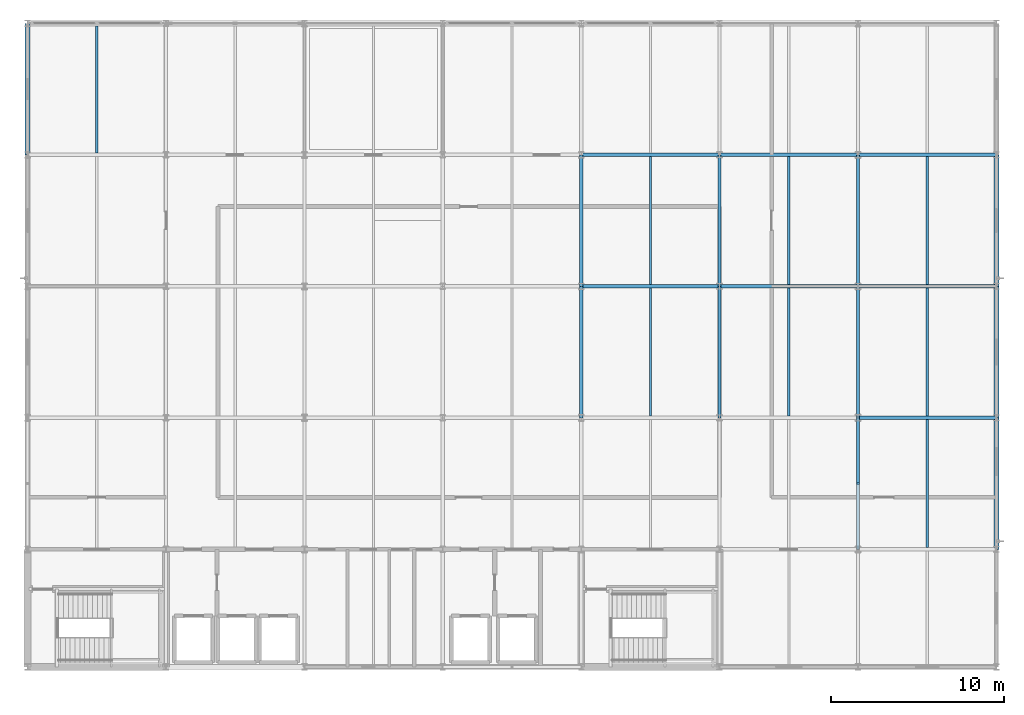
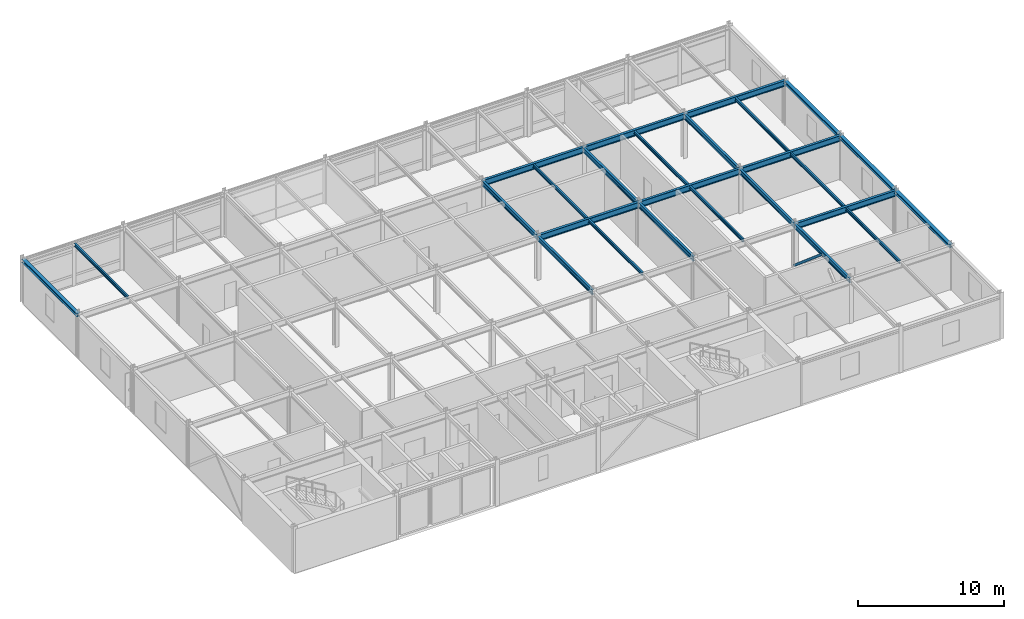
# One storey, part 5 of 15: 26 beams, 1 member.
"""IFC4 building model written with IfcOpenShell, lengths in metres."""

from ifc_helpers import new_model, si_unit, direction, frame, origin, origin_2d, place, context, subcontext, project, spatial, hollow_rectangle, i_section, extrude, material, material_profile, profile_set, type_object, element, save


model = new_model("IFC4")

# Units and contexts
model_context = context("Model", 3, precision=1e-05, world=origin(), true_north=direction((0.0, 1.0)))
body_context = subcontext(model_context, "Body", "Model", "MODEL_VIEW")
ifc_project = project(units=[si_unit("LENGTHUNIT", "METRE"), si_unit("AREAUNIT", "SQUARE_METRE"), si_unit("VOLUMEUNIT", "CUBIC_METRE"), si_unit("PLANEANGLEUNIT", "RADIAN"), si_unit("MASSUNIT", "GRAM", prefix="KILO")], contexts=[model_context])

# Site, building, storey
site_placement = place(None, origin())
site = spatial("IfcSite", under=ifc_project, at=site_placement, CompositionType="ELEMENT")
building_placement = place(site_placement, origin())
building = spatial("IfcBuilding", under=site, at=building_placement, Name="Shalkamar Park Central Library", CompositionType="ELEMENT")
storey_placement = place(building_placement, frame((0.0, 0.0, 39.89990234375)))
storey = spatial("IfcBuildingStorey", under=building, at=storey_placement, Name="L10", CompositionType="ELEMENT", Elevation=39.89990234375)

# Beams
ifc_material = material(Name="Steel S355", Category="steel")
ifc_material_profile_1 = material_profile(ifc_material, i_section(OverallWidth=0.135009765625, OverallDepth=0.27001953125, WebThickness=0.006591796875, FlangeThickness=0.01025390625, FilletRadius=0.014892578125, at=origin_2d()), Name="IPE 270")
ifc_profile_set_1 = profile_set([ifc_material_profile_1], Name="Steel S355")
beam_type_1 = type_object("IfcBeamType", Name="Composite Floor Joist IPE270", PredefinedType="JOIST", material=ifc_profile_set_1)
beam_1_placement = place(storey_placement, frame((169.0, 278.097900390625, 3.545166015625), z_axis=(0.0, 1.0, 0.0), x_axis=(-1.0, 0.0, 0.0)))
element("IfcBeam", 1, at=beam_1_placement, inside=storey, type_object=beam_type_1, Name="Composite Joist 07/F-1 (L10)", PredefinedType="JOIST", context=body_context, shape_type="SweptSolid", body=[
    extrude(i_section(OverallWidth=0.135009765625, OverallDepth=0.27001953125, WebThickness=0.006591796875, FlangeThickness=0.01025390625, FilletRadius=0.014892578125, at=origin_2d()), origin(), (0.0, 0.0, 1.0), 7.35400390625),
])
for number, where, z_axis, x_axis, name in (
    (2, (201.0, 262.89794921875, 3.545166015625), (0.0, 1.0, 0.0), (-1.0, 0.0, 0.0), "Composite Joist 11/D-1 (L10)"),
    (3, (201.0, 270.498046875, 3.545166015625), (0.0, 1.0, 0.0), (-1.0, 0.0, 0.0), "Composite Joist 11/E-1 (L10)"),
    (4, (209.0, 262.89794921875, 3.545166015625), (0.0, 1.0, 0.0), (-1.0, 0.0, 0.0), "Composite Joist 12/D-1 (L10)"),
    (5, (209.0, 270.498046875, 3.545166015625), (0.0, 1.0, 0.0), (-1.0, 0.0, 0.0), "Composite Joist 12/E-1 (L10)"),
):
    element("IfcBeam", number, at=place(storey_placement, frame(where, z_axis=z_axis, x_axis=x_axis)), inside=storey, type_object=beam_type_1, Name=name, PredefinedType="JOIST", context=body_context, shape_type="SweptSolid", body=[
        extrude(i_section(OverallWidth=0.135009765625, OverallDepth=0.27001953125, WebThickness=0.006591796875, FlangeThickness=0.01025390625, FilletRadius=0.014892578125, at=origin_2d()), origin(), (0.0, 0.0, 1.0), 7.404052734375),
    ])
beam_2_placement = place(storey_placement, frame((217.0, 255.298095703125, 3.545166015625), z_axis=(0.0, 1.0, 0.0), x_axis=(-1.0, 0.0, 0.0)))
element("IfcBeam", 6, at=beam_2_placement, inside=storey, type_object=beam_type_1, Name="Composite Joist 13/C-1 (L10)", PredefinedType="JOIST", context=body_context, shape_type="SweptSolid", body=[
    extrude(i_section(OverallWidth=0.135009765625, OverallDepth=0.27001953125, WebThickness=0.006591796875, FlangeThickness=0.01025390625, FilletRadius=0.014892578125, at=origin_2d()), origin(), (0.0, 0.0, 1.0), 7.40380859375),
])
for number, where, z_axis, x_axis, name in (
    (7, (217.0, 262.89794921875, 3.545166015625), (0.0, 1.0, 0.0), (-1.0, 0.0, 0.0), "Composite Joist 13/D-1 (L10)"),
    (8, (217.0, 270.498046875, 3.545166015625), (0.0, 1.0, 0.0), (-1.0, 0.0, 0.0), "Composite Joist 13/E-1 (L10)"),
):
    element("IfcBeam", number, at=place(storey_placement, frame(where, z_axis=z_axis, x_axis=x_axis)), inside=storey, type_object=beam_type_1, Name=name, PredefinedType="JOIST", context=body_context, shape_type="SweptSolid", body=[
        extrude(i_section(OverallWidth=0.135009765625, OverallDepth=0.27001953125, WebThickness=0.006591796875, FlangeThickness=0.01025390625, FilletRadius=0.014892578125, at=origin_2d()), origin(), (0.0, 0.0, 1.0), 7.404052734375),
    ])

# Member
ifc_material_profile_2 = material_profile(ifc_material, hollow_rectangle(XDim=0.179931640625, YDim=0.179931640625, WallThickness=0.010009765625, InnerFilletRadius=0.010009765625, OuterFilletRadius=0.014892578125, at=origin_2d()), Name="SHS 180x180x10")
ifc_profile_set_2 = profile_set([ifc_material_profile_2], Name="Steel S355")
member_type = type_object("IfcMemberType", Name="Diagonal Brace SHS180", PredefinedType="BRACE", material=ifc_profile_set_2)
member_placement = place(storey_placement, frame((213.0, 262.800048828125, 0.150146484375), z_axis=(0.0, -0.761945356857, 0.647641315208), x_axis=(1.0, 0.0, 0.0)))
element("IfcMember", 9, at=member_placement, inside=storey, type_object=member_type, Name="Chevron Brace TW-E Leg B (L10)", PredefinedType="BRACE", context=body_context, shape_type="SweptSolid", body=[
    extrude(hollow_rectangle(XDim=0.179931640625, YDim=0.179931640625, WallThickness=0.010009765625, InnerFilletRadius=0.010009765625, OuterFilletRadius=0.014892578125, at=origin_2d()), origin(), (0.0, 0.0, 1.0), 4.9873046875),
])

# Beams
ifc_material_profile_3 = material_profile(ifc_material, i_section(OverallWidth=0.280029296875, OverallDepth=0.27001953125, WebThickness=0.008056640625, FlangeThickness=0.012939453125, FilletRadius=0.02392578125, at=origin_2d()), Name="HEA 280")
ifc_profile_set_3 = profile_set([ifc_material_profile_3], Name="Steel S355")
beam_type_2 = type_object("IfcBeamType", Name="Perimeter Spandrel Beam HEA280", PredefinedType="SPANDREL", material=ifc_profile_set_3)
for number, where, z_axis, x_axis, name in (
    (10, (165.0, 278.0, 3.545166015625), (0.0, 1.0, 0.0), (-1.0, 0.0, 0.0), "Beam 07:F-G (L10)"),
    (11, (221.0, 255.199951171875, 3.545166015625), (0.0, 1.0, 0.0), (-1.0, 0.0, 0.0), "Beam 14:C-D (L10)"),
):
    element("IfcBeam", number, at=place(storey_placement, frame(where, z_axis=z_axis, x_axis=x_axis)), inside=storey, type_object=beam_type_2, Name=name, PredefinedType="SPANDREL", context=body_context, shape_type="SweptSolid", body=[
        extrude(i_section(OverallWidth=0.280029296875, OverallDepth=0.27001953125, WebThickness=0.008056640625, FlangeThickness=0.012939453125, FilletRadius=0.02392578125, at=origin_2d()), origin(), (0.0, 0.0, 1.0), 7.60009765625),
    ])
beam_3_placement = place(storey_placement, frame((221.0, 262.800048828125, 3.545166015625), z_axis=(0.0, 1.0, 0.0), x_axis=(-1.0, 0.0, 0.0)))
element("IfcBeam", 12, at=beam_3_placement, inside=storey, type_object=beam_type_2, Name="Beam 14:D-E (L10)", PredefinedType="SPANDREL", context=body_context, shape_type="SweptSolid", body=[
    extrude(i_section(OverallWidth=0.280029296875, OverallDepth=0.27001953125, WebThickness=0.008056640625, FlangeThickness=0.012939453125, FilletRadius=0.02392578125, at=origin_2d()), origin(), (0.0, 0.0, 1.0), 7.599853515625),
])
beam_4_placement = place(storey_placement, frame((221.0, 270.39990234375, 3.545166015625), z_axis=(0.0, 1.0, 0.0), x_axis=(-1.0, 0.0, 0.0)))
element("IfcBeam", 13, at=beam_4_placement, inside=storey, type_object=beam_type_2, Name="Beam 14:E-F (L10)", PredefinedType="SPANDREL", context=body_context, shape_type="SweptSolid", body=[
    extrude(i_section(OverallWidth=0.280029296875, OverallDepth=0.27001953125, WebThickness=0.008056640625, FlangeThickness=0.012939453125, FilletRadius=0.02392578125, at=origin_2d()), origin(), (0.0, 0.0, 1.0), 7.60009765625),
])
ifc_material_profile_4 = material_profile(ifc_material, i_section(OverallWidth=0.179931640625, OverallDepth=0.39990234375, WebThickness=0.008544921875, FlangeThickness=0.013427734375, FilletRadius=0.02099609375, at=origin_2d()), Name="IPE 400")
ifc_profile_set_4 = profile_set([ifc_material_profile_4], Name="Steel S355")
beam_type_3 = type_object("IfcBeamType", Name="Primary Girder IPE400", PredefinedType="BEAM", material=ifc_profile_set_4)
beam_5_placement = place(storey_placement, frame((197.0, 262.800048828125, 3.47998046875), z_axis=(0.0, 1.0, 0.0), x_axis=(-1.0, 0.0, 0.0)))
element("IfcBeam", 14, at=beam_5_placement, inside=storey, type_object=beam_type_3, Name="Beam 11:D-E (L10)", PredefinedType="BEAM", context=body_context, shape_type="SweptSolid", body=[
    extrude(i_section(OverallWidth=0.179931640625, OverallDepth=0.39990234375, WebThickness=0.008544921875, FlangeThickness=0.013427734375, FilletRadius=0.02099609375, at=origin_2d()), origin(), (0.0, 0.0, 1.0), 7.599853515625),
])
beam_6_placement = place(storey_placement, frame((197.0, 270.39990234375, 3.47998046875), z_axis=(0.0, 1.0, 0.0), x_axis=(-1.0, 0.0, 0.0)))
element("IfcBeam", 15, at=beam_6_placement, inside=storey, type_object=beam_type_3, Name="Beam 11:E-F (L10)", PredefinedType="BEAM", context=body_context, shape_type="SweptSolid", body=[
    extrude(i_section(OverallWidth=0.179931640625, OverallDepth=0.39990234375, WebThickness=0.008544921875, FlangeThickness=0.013427734375, FilletRadius=0.02099609375, at=origin_2d()), origin(), (0.0, 0.0, 1.0), 7.60009765625),
])
beam_7_placement = place(storey_placement, frame((205.0, 262.800048828125, 3.47998046875), z_axis=(0.0, 1.0, 0.0), x_axis=(-1.0, 0.0, 0.0)))
element("IfcBeam", 16, at=beam_7_placement, inside=storey, type_object=beam_type_3, Name="Beam 12:D-E (L10)", PredefinedType="BEAM", context=body_context, shape_type="SweptSolid", body=[
    extrude(i_section(OverallWidth=0.179931640625, OverallDepth=0.39990234375, WebThickness=0.008544921875, FlangeThickness=0.013427734375, FilletRadius=0.02099609375, at=origin_2d()), origin(), (0.0, 0.0, 1.0), 7.599853515625),
])
for number, where, z_axis, x_axis, name in (
    (17, (205.0, 270.39990234375, 3.47998046875), (0.0, 1.0, 0.0), (-1.0, 0.0, 0.0), "Beam 12:E-F (L10)"),
    (18, (213.0, 255.199951171875, 3.47998046875), (0.0, 1.0, 0.0), (-1.0, 0.0, 0.0), "Beam 13:C-D (L10)"),
):
    element("IfcBeam", number, at=place(storey_placement, frame(where, z_axis=z_axis, x_axis=x_axis)), inside=storey, type_object=beam_type_3, Name=name, PredefinedType="BEAM", context=body_context, shape_type="SweptSolid", body=[
        extrude(i_section(OverallWidth=0.179931640625, OverallDepth=0.39990234375, WebThickness=0.008544921875, FlangeThickness=0.013427734375, FilletRadius=0.02099609375, at=origin_2d()), origin(), (0.0, 0.0, 1.0), 7.60009765625),
    ])
beam_8_placement = place(storey_placement, frame((213.0, 262.800048828125, 3.47998046875), z_axis=(0.0, 1.0, 0.0), x_axis=(-1.0, 0.0, 0.0)))
element("IfcBeam", 19, at=beam_8_placement, inside=storey, type_object=beam_type_3, Name="Beam 13:D-E (L10)", PredefinedType="BEAM", context=body_context, shape_type="SweptSolid", body=[
    extrude(i_section(OverallWidth=0.179931640625, OverallDepth=0.39990234375, WebThickness=0.008544921875, FlangeThickness=0.013427734375, FilletRadius=0.02099609375, at=origin_2d()), origin(), (0.0, 0.0, 1.0), 7.599853515625),
])
beam_9_placement = place(storey_placement, frame((213.0, 270.39990234375, 3.47998046875), z_axis=(0.0, 1.0, 0.0), x_axis=(-1.0, 0.0, 0.0)))
element("IfcBeam", 20, at=beam_9_placement, inside=storey, type_object=beam_type_3, Name="Beam 13:E-F (L10)", PredefinedType="BEAM", context=body_context, shape_type="SweptSolid", body=[
    extrude(i_section(OverallWidth=0.179931640625, OverallDepth=0.39990234375, WebThickness=0.008544921875, FlangeThickness=0.013427734375, FilletRadius=0.02099609375, at=origin_2d()), origin(), (0.0, 0.0, 1.0), 7.60009765625),
])
ifc_material_profile_5 = material_profile(ifc_material, i_section(OverallWidth=0.199951171875, OverallDepth=0.5, WebThickness=0.01025390625, FlangeThickness=0.01611328125, FilletRadius=0.02099609375, at=origin_2d()), Name="IPE 500")
ifc_profile_set_5 = profile_set([ifc_material_profile_5], Name="Steel S355")
beam_type_4 = type_object("IfcBeamType", Name="Primary Girder IPE500", PredefinedType="BEAM", material=ifc_profile_set_5)
for number, where, z_axis, x_axis, name in (
    (21, (213.0, 262.800048828125, 3.43017578125), (1.0, 0.0, 0.0), (0.0, 1.0, 0.0), "Beam D:13-14 (L10)"),
    (22, (197.0, 270.39990234375, 3.43017578125), (1.0, 0.0, 0.0), (0.0, 1.0, 0.0), "Beam E:11-12 (L10)"),
    (23, (205.0, 270.39990234375, 3.43017578125), (1.0, 0.0, 0.0), (0.0, 1.0, 0.0), "Beam E:12-13 (L10)"),
    (24, (213.0, 270.39990234375, 3.43017578125), (1.0, 0.0, 0.0), (0.0, 1.0, 0.0), "Beam E:13-14 (L10)"),
    (25, (197.0, 278.0, 3.43017578125), (1.0, 0.0, 0.0), (0.0, 1.0, 0.0), "Beam F:11-12 (L10)"),
    (26, (205.0, 278.0, 3.43017578125), (1.0, 0.0, 0.0), (0.0, 1.0, 0.0), "Beam F:12-13 (L10)"),
    (27, (213.0, 278.0, 3.43017578125), (1.0, 0.0, 0.0), (0.0, 1.0, 0.0), "Beam F:13-14 (L10)"),
):
    element("IfcBeam", number, at=place(storey_placement, frame(where, z_axis=z_axis, x_axis=x_axis)), inside=storey, type_object=beam_type_4, Name=name, PredefinedType="BEAM", context=body_context, shape_type="SweptSolid", body=[
        extrude(i_section(OverallWidth=0.199951171875, OverallDepth=0.5, WebThickness=0.01025390625, FlangeThickness=0.01611328125, FilletRadius=0.02099609375, at=origin_2d()), origin(), (0.0, 0.0, 1.0), 8.0),
    ])

save(model, "model.ifc")
